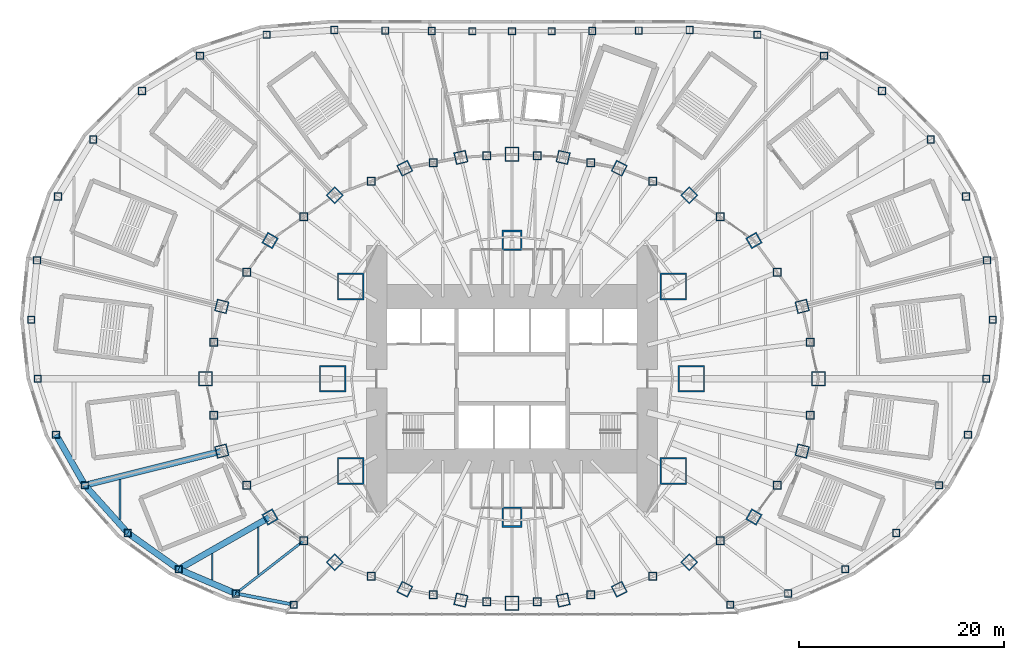
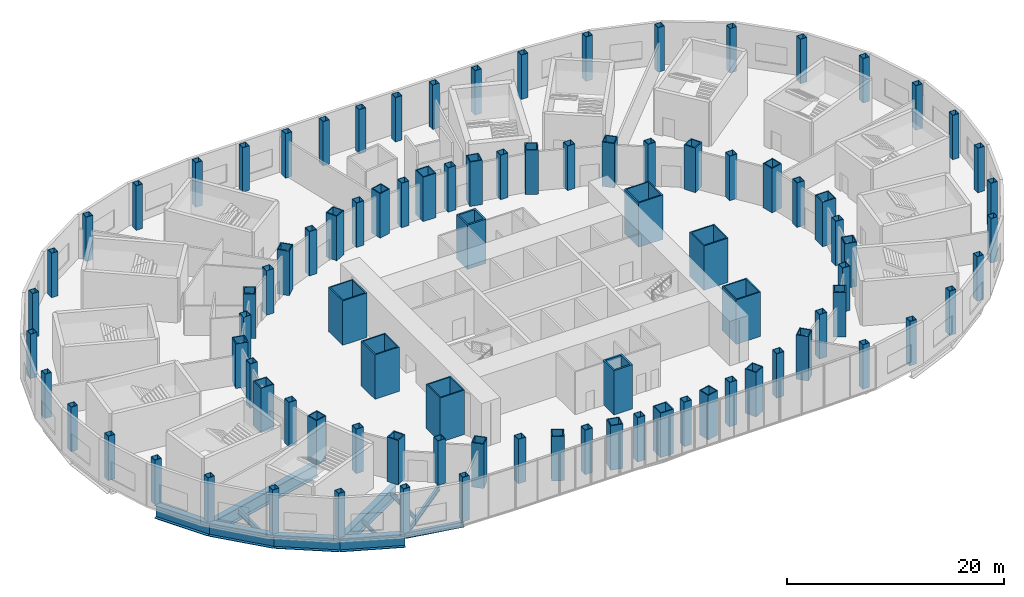
# One storey, part 1 of 73: 93 columns, 11 beams.
"""IFC4 building model written with IfcOpenShell, lengths in metres."""

from ifc_helpers import new_model, si_unit, direction, frame, origin, origin_2d, place, context, subcontext, project, spatial, rectangle, hollow_rectangle, i_section, extrude, material, material_profile, profile_set, type_object, element, save


model = new_model("IFC4")

# Units and contexts
model_context = context("Model", 3, precision=1e-05, world=origin(), true_north=direction((0.0, 1.0)))
body_context = subcontext(model_context, "Body", "Model", "MODEL_VIEW")
ifc_project = project(units=[si_unit("LENGTHUNIT", "METRE"), si_unit("AREAUNIT", "SQUARE_METRE"), si_unit("VOLUMEUNIT", "CUBIC_METRE"), si_unit("PLANEANGLEUNIT", "RADIAN"), si_unit("MASSUNIT", "GRAM", prefix="KILO")], contexts=[model_context])

# Site, building, storey
site_placement = place(None, origin())
site = spatial("IfcSite", under=ifc_project, at=site_placement, CompositionType="ELEMENT")
building_placement = place(site_placement, origin())
building = spatial("IfcBuilding", under=site, at=building_placement, Name="Lantaw Convention Tower", CompositionType="ELEMENT")
storey_placement = place(building_placement, frame((0.0, 0.0, 22.0)))
storey = spatial("IfcBuildingStorey", under=building, at=storey_placement, Name="L03", CompositionType="ELEMENT", Elevation=22.0)

# Columns
ifc_material_1 = material(Name="Steel EN 10025-3 S460N", Category="steel")
ifc_material_profile_1 = material_profile(ifc_material_1, hollow_rectangle(XDim=2.0, YDim=2.0, WallThickness=0.169921875, at=origin_2d()), Name="BOX2000X170")
ifc_material_2 = material(Name="Concrete C60/75", Category="concrete")
ifc_material_profile_2 = material_profile(ifc_material_2, rectangle(XDim=1.659912109375, YDim=1.659912109375, at=origin_2d()), Name="Concrete fill of BOX2000X170")
ifc_profile_set_1 = profile_set([ifc_material_profile_1, ifc_material_profile_2], Name="Steel EN 10025-3 S460N")
column_type_1 = type_object("IfcColumnType", Name="Column MC BOX2000X170", PredefinedType="COLUMN", material=ifc_profile_set_1)
for number, where, z_axis, x_axis, name in (
    (1, (0.0, 13.5, 0.0), (0.0, 0.0, 1.0), (1.0, 0.0, 0.0), "Mega column M3"),
    (2, (0.0, -13.5, 0.0), (0.0, 0.0, 1.0), (1.0, 0.0, 0.0), "Mega column M7"),
):
    element("IfcColumn", number, at=place(storey_placement, frame(where, z_axis=z_axis, x_axis=x_axis)), inside=storey, type_object=column_type_1, Name=name, PredefinedType="COLUMN", context=body_context, shape_type="SweptSolid", body=[
        extrude(hollow_rectangle(XDim=2.0, YDim=2.0, WallThickness=0.169921875, at=origin_2d()), origin(), (0.0, 0.0, 1.0), 5.0),
    ])
ifc_material_profile_3 = material_profile(ifc_material_1, hollow_rectangle(XDim=2.60009765625, YDim=2.60009765625, WallThickness=0.1298828125, at=origin_2d()), Name="BOX2600X130")
ifc_material_profile_4 = material_profile(ifc_material_2, rectangle(XDim=2.340087890625, YDim=2.340087890625, at=origin_2d()), Name="Concrete fill of BOX2600X130")
ifc_profile_set_2 = profile_set([ifc_material_profile_3, ifc_material_profile_4], Name="Steel EN 10025-3 S460N")
column_type_2 = type_object("IfcColumnType", Name="Column MC BOX2600X130", PredefinedType="COLUMN", material=ifc_profile_set_2)
for number, where, z_axis, x_axis, name in (
    (3, (17.5, 0.0, 0.0), (0.0, 0.0, 1.0), (1.0, 0.0, 0.0), "Mega column M1"),
    (4, (15.75, 9.0, 0.0), (0.0, 0.0, 1.0), (1.0, 0.0, 0.0), "Mega column M2"),
    (5, (-15.75, 9.0, 0.0), (0.0, 0.0, 1.0), (1.0, 0.0, 0.0), "Mega column M4"),
    (6, (-17.5, 0.0, 0.0), (0.0, 0.0, 1.0), (1.0, 0.0, 0.0), "Mega column M5"),
    (7, (-15.75, -9.0, 0.0), (0.0, 0.0, 1.0), (1.0, 0.0, 0.0), "Mega column M6"),
    (8, (15.75, -9.0, 0.0), (0.0, 0.0, 1.0), (1.0, 0.0, 0.0), "Mega column M8"),
):
    element("IfcColumn", number, at=place(storey_placement, frame(where, z_axis=z_axis, x_axis=x_axis)), inside=storey, type_object=column_type_2, Name=name, PredefinedType="COLUMN", context=body_context, shape_type="SweptSolid", body=[
        extrude(hollow_rectangle(XDim=2.60009765625, YDim=2.60009765625, WallThickness=0.1298828125, at=origin_2d()), origin(), (0.0, 0.0, 1.0), 5.0),
    ])
ifc_material_profile_5 = material_profile(ifc_material_1, hollow_rectangle(XDim=1.199951171875, YDim=1.199951171875, WallThickness=0.10009765625, at=origin_2d()), Name="BOX1200X100")
ifc_material_profile_6 = material_profile(ifc_material_2, rectangle(XDim=1.0, YDim=1.0, at=origin_2d()), Name="Concrete fill of BOX1200X100")
ifc_profile_set_3 = profile_set([ifc_material_profile_5, ifc_material_profile_6], Name="Steel EN 10025-3 S460N")
column_type_3 = type_object("IfcColumnType", Name="Column PC BOX1200X100", PredefinedType="COLUMN", material=ifc_profile_set_3)
for number, where, z_axis, x_axis, name in (
    (9, (28.31787109375, 7.060302734375, 0.0), (0.0, 0.0, 1.0), (0.970295726276, 0.2419218956, 0.0), "Perimeter column P2"),
    (10, (17.290771484375, 17.9052734375, 0.0), (0.0, 0.0, 1.0), (0.694658370459, 0.719339800339, 0.0), "Perimeter column P4"),
    (11, (10.462646484375, 20.533935546875, 0.0), (0.0, 0.0, 1.0), (0.45399049974, 0.891006524188, 0.0), "Perimeter column P5"),
    (12, (4.986328125, 21.59814453125, 0.0), (0.0, 0.0, 1.0), (0.224951054344, 0.974370064785, 0.0), "Perimeter column P6"),
    (13, (-4.986328125, 21.59814453125, 0.0), (0.0, 0.0, 1.0), (0.974370064785, 0.224951054344, 0.0), "Perimeter column P8"),
    (14, (-10.462646484375, 20.533935546875, 0.0), (0.0, 0.0, 1.0), (0.891006524188, 0.45399049974, 0.0), "Perimeter column P9"),
    (15, (-17.290771484375, 17.9052734375, 0.0), (0.0, 0.0, 1.0), (0.719339800339, 0.694658370459, 0.0), "Perimeter column P10"),
    (16, (-28.31787109375, 7.060302734375, 0.0), (0.0, 0.0, 1.0), (0.2419218956, 0.970295726276, 0.0), "Perimeter column P12"),
    (17, (-28.31787109375, -7.060302734375, 0.0), (0.0, 0.0, 1.0), (0.970295726276, 0.2419218956, 0.0), "Perimeter column P14"),
    (18, (-17.290771484375, -17.9052734375, 0.0), (0.0, 0.0, 1.0), (0.694658370459, 0.719339800339, 0.0), "Perimeter column P16"),
    (19, (-10.462646484375, -20.533935546875, 0.0), (0.0, 0.0, 1.0), (0.45399049974, 0.891006524188, 0.0), "Perimeter column P17"),
    (20, (-4.986328125, -21.59814453125, 0.0), (0.0, 0.0, 1.0), (0.224951054344, 0.974370064785, 0.0), "Perimeter column P18"),
    (21, (4.986328125, -21.59814453125, 0.0), (0.0, 0.0, 1.0), (0.974370064785, 0.224951054344, 0.0), "Perimeter column P20"),
    (22, (10.462646484375, -20.533935546875, 0.0), (0.0, 0.0, 1.0), (0.891006524188, 0.45399049974, 0.0), "Perimeter column P21"),
    (23, (17.290771484375, -17.9052734375, 0.0), (0.0, 0.0, 1.0), (0.719339800339, 0.694658370459, 0.0), "Perimeter column P22"),
    (24, (28.31787109375, -7.060302734375, 0.0), (0.0, 0.0, 1.0), (0.2419218956, 0.970295726276, 0.0), "Perimeter column P24"),
):
    element("IfcColumn", number, at=place(storey_placement, frame(where, z_axis=z_axis, x_axis=x_axis)), inside=storey, type_object=column_type_3, Name=name, PredefinedType="COLUMN", context=body_context, shape_type="SweptSolid", body=[
        extrude(hollow_rectangle(XDim=1.199951171875, YDim=1.199951171875, WallThickness=0.10009765625, at=origin_2d()), origin(), (0.0, 0.0, 1.0), 5.0),
    ])
ifc_material_profile_7 = material_profile(ifc_material_1, hollow_rectangle(XDim=1.199951171875, YDim=1.199951171875, WallThickness=0.1201171875, at=origin_2d()), Name="BOX1200X120")
ifc_material_profile_8 = material_profile(ifc_material_2, rectangle(XDim=0.9599609375, YDim=0.9599609375, at=origin_2d()), Name="Concrete fill of BOX1200X120")
ifc_profile_set_4 = profile_set([ifc_material_profile_7, ifc_material_profile_8], Name="Steel EN 10025-3 S460N")
column_type_4 = type_object("IfcColumnType", Name="Column PC BOX1200X120", PredefinedType="COLUMN", material=ifc_profile_set_4)
for number, where, z_axis, x_axis, name in (
    (25, (23.60498046875, 13.488525390625, 0.0), (0.0, 0.0, 1.0), (0.86824298017, 0.496139221777, 0.0), "Perimeter column P3"),
    (26, (-23.60498046875, 13.488525390625, 0.0), (0.0, 0.0, 1.0), (0.496139221777, 0.86824298017, 0.0), "Perimeter column P11"),
    (27, (-23.60498046875, -13.488525390625, 0.0), (0.0, 0.0, 1.0), (0.86824298017, 0.496139221777, 0.0), "Perimeter column P15"),
    (28, (23.60498046875, -13.488525390625, 0.0), (0.0, 0.0, 1.0), (0.496139221777, 0.86824298017, 0.0), "Perimeter column P23"),
):
    element("IfcColumn", number, at=place(storey_placement, frame(where, z_axis=z_axis, x_axis=x_axis)), inside=storey, type_object=column_type_4, Name=name, PredefinedType="COLUMN", context=body_context, shape_type="SweptSolid", body=[
        extrude(hollow_rectangle(XDim=1.199951171875, YDim=1.199951171875, WallThickness=0.1201171875, at=origin_2d()), origin(), (0.0, 0.0, 1.0), 5.0),
    ])
ifc_material_profile_9 = material_profile(ifc_material_1, hollow_rectangle(XDim=1.39990234375, YDim=1.39990234375, WallThickness=0.10009765625, at=origin_2d()), Name="BOX1400X100")
ifc_material_profile_10 = material_profile(ifc_material_2, rectangle(XDim=1.199951171875, YDim=1.199951171875, at=origin_2d()), Name="Concrete fill of BOX1400X100")
ifc_profile_set_5 = profile_set([ifc_material_profile_9, ifc_material_profile_10], Name="Steel EN 10025-3 S460N")
column_type_5 = type_object("IfcColumnType", Name="Column PC BOX1400X100", PredefinedType="COLUMN", material=ifc_profile_set_5)
for number, where, z_axis, x_axis, name in (
    (29, (29.89990234375, 0.0, 0.0), (0.0, 0.0, 1.0), (1.0, 0.0, 0.0), "Perimeter column P1"),
    (30, (0.0, 21.89990234375, 0.0), (0.0, 0.0, 1.0), (1.0, 0.0, 0.0), "Perimeter column P7"),
    (31, (-29.89990234375, 0.0, 0.0), (0.0, 0.0, 1.0), (1.0, 0.0, 0.0), "Perimeter column P13"),
    (32, (0.0, -21.89990234375, 0.0), (0.0, 0.0, 1.0), (1.0, 0.0, 0.0), "Perimeter column P19"),
):
    element("IfcColumn", number, at=place(storey_placement, frame(where, z_axis=z_axis, x_axis=x_axis)), inside=storey, type_object=column_type_5, Name=name, PredefinedType="COLUMN", context=body_context, shape_type="SweptSolid", body=[
        extrude(hollow_rectangle(XDim=1.39990234375, YDim=1.39990234375, WallThickness=0.10009765625, at=origin_2d()), origin(), (0.0, 0.0, 1.0), 5.0),
    ])
ifc_material_3 = material(Name="Steel ASTM A572 Grade 50", Category="steel")
ifc_material_profile_11 = material_profile(ifc_material_3, hollow_rectangle(XDim=0.800048828125, YDim=0.800048828125, WallThickness=0.050048828125, at=origin_2d()), Name="BOX800X50")
ifc_profile_set_6 = profile_set([ifc_material_profile_11], Name="Steel ASTM A572 Grade 50")
column_type_6 = type_object("IfcColumnType", Name="Column QC BOX800X50", PredefinedType="COLUMN", material=ifc_profile_set_6)
for number, where, z_axis, x_axis, name in (
    (33, (29.099365234375, 3.572998046875, 0.0), (0.0, 0.0, 1.0), (1.0, 0.0, 0.0), "Podium ring column Q1"),
    (34, (25.8779296875, 10.388427734375, 0.0), (0.0, 0.0, 1.0), (1.0, 0.0, 0.0), "Podium ring column Q2"),
    (35, (20.30859375, 15.794189453125, 0.0), (0.0, 0.0, 1.0), (1.0, 0.0, 0.0), "Podium ring column Q3"),
    (36, (13.745361328125, 19.270263671875, 0.0), (0.0, 0.0, 1.0), (1.0, 0.0, 0.0), "Podium ring column Q4"),
    (37, (7.671142578125, 21.076416015625, 0.0), (0.0, 0.0, 1.0), (1.0, 0.0, 0.0), "Podium ring column Q5"),
    (38, (2.47802734375, 21.75, 0.0), (0.0, 0.0, 1.0), (1.0, 0.0, 0.0), "Podium ring column Q6"),
    (39, (-2.47802734375, 21.75, 0.0), (0.0, 0.0, 1.0), (1.0, 0.0, 0.0), "Podium ring column Q7"),
    (40, (-7.671142578125, 21.076416015625, 0.0), (0.0, 0.0, 1.0), (1.0, 0.0, 0.0), "Podium ring column Q8"),
    (41, (-13.745361328125, 19.270263671875, 0.0), (0.0, 0.0, 1.0), (1.0, 0.0, 0.0), "Podium ring column Q9"),
    (42, (-20.30859375, 15.794189453125, 0.0), (0.0, 0.0, 1.0), (1.0, 0.0, 0.0), "Podium ring column Q10"),
    (43, (-25.8779296875, 10.388427734375, 0.0), (0.0, 0.0, 1.0), (1.0, 0.0, 0.0), "Podium ring column Q11"),
    (44, (-29.099365234375, 3.572998046875, 0.0), (0.0, 0.0, 1.0), (1.0, 0.0, 0.0), "Podium ring column Q12"),
    (45, (-29.099365234375, -3.572998046875, 0.0), (0.0, 0.0, 1.0), (1.0, 0.0, 0.0), "Podium ring column Q13"),
    (46, (-25.8779296875, -10.388427734375, 0.0), (0.0, 0.0, 1.0), (1.0, 0.0, 0.0), "Podium ring column Q14"),
    (47, (-20.30859375, -15.794189453125, 0.0), (0.0, 0.0, 1.0), (1.0, 0.0, 0.0), "Podium ring column Q15"),
    (48, (-13.745361328125, -19.270263671875, 0.0), (0.0, 0.0, 1.0), (1.0, 0.0, 0.0), "Podium ring column Q16"),
    (49, (-7.671142578125, -21.076416015625, 0.0), (0.0, 0.0, 1.0), (1.0, 0.0, 0.0), "Podium ring column Q17"),
    (50, (-2.47802734375, -21.75, 0.0), (0.0, 0.0, 1.0), (1.0, 0.0, 0.0), "Podium ring column Q18"),
    (51, (2.47802734375, -21.75, 0.0), (0.0, 0.0, 1.0), (1.0, 0.0, 0.0), "Podium ring column Q19"),
    (52, (7.671142578125, -21.076416015625, 0.0), (0.0, 0.0, 1.0), (1.0, 0.0, 0.0), "Podium ring column Q20"),
    (53, (13.745361328125, -19.270263671875, 0.0), (0.0, 0.0, 1.0), (1.0, 0.0, 0.0), "Podium ring column Q21"),
    (54, (20.308837890625, -15.794189453125, 0.0), (0.0, 0.0, 1.0), (1.0, 0.0, 0.0), "Podium ring column Q22"),
    (55, (25.8779296875, -10.388427734375, 0.0), (0.0, 0.0, 1.0), (1.0, 0.0, 0.0), "Podium ring column Q23"),
    (56, (29.099365234375, -3.572998046875, 0.0), (0.0, 0.0, 1.0), (1.0, 0.0, 0.0), "Podium ring column Q24"),
):
    element("IfcColumn", number, at=place(storey_placement, frame(where, z_axis=z_axis, x_axis=x_axis)), inside=storey, type_object=column_type_6, Name=name, PredefinedType="COLUMN", context=body_context, shape_type="SweptSolid", body=[
        extrude(hollow_rectangle(XDim=0.800048828125, YDim=0.800048828125, WallThickness=0.050048828125, at=origin_2d()), origin(), (0.0, 0.0, 1.0), 5.0),
    ])
ifc_material_profile_12 = material_profile(ifc_material_3, hollow_rectangle(XDim=0.699951171875, YDim=0.699951171875, WallThickness=0.0400390625, at=origin_2d()), Name="BOX700X40")
ifc_profile_set_7 = profile_set([ifc_material_profile_12], Name="Steel ASTM A572 Grade 50")
column_type_7 = type_object("IfcColumnType", Name="Column RC BOX700X40", PredefinedType="COLUMN", material=ifc_profile_set_7)
for number, where, z_axis, x_axis, name in (
    (57, (46.907958984375, 5.759521484375, 0.0), (0.0, 0.0, 1.0), (1.0, 0.0, 0.0), "Podium column B00"),
    (58, (44.29248046875, 17.78076171875, 0.0), (0.0, 0.0, 1.0), (1.0, 0.0, 0.0), "Podium column B01"),
    (59, (36.107666015625, 28.081298828125, 0.0), (0.0, 0.0, 1.0), (1.0, 0.0, 0.0), "Podium column B02"),
    (60, (23.940185546875, 33.562744140625, 0.0), (0.0, 0.0, 1.0), (1.0, 0.0, 0.0), "Podium column B03"),
    (61, (12.36279296875, 33.96630859375, 0.0), (0.0, 0.0, 1.0), (1.0, 0.0, 0.0), "Podium column B04"),
    (62, (3.86328125, 33.906982421875, 0.0), (0.0, 0.0, 1.0), (1.0, 0.0, 0.0), "Podium column B05"),
    (63, (-3.86328125, 33.906982421875, 0.0), (0.0, 0.0, 1.0), (1.0, 0.0, 0.0), "Podium column B06"),
    (64, (-12.36279296875, 33.96630859375, 0.0), (0.0, 0.0, 1.0), (1.0, 0.0, 0.0), "Podium column B07"),
    (65, (-23.940185546875, 33.562744140625, 0.0), (0.0, 0.0, 1.0), (1.0, 0.0, 0.0), "Podium column B08"),
    (66, (-36.107666015625, 28.081298828125, 0.0), (0.0, 0.0, 1.0), (1.0, 0.0, 0.0), "Podium column B09"),
    (67, (-44.29248046875, 17.78076171875, 0.0), (0.0, 0.0, 1.0), (1.0, 0.0, 0.0), "Podium column B10"),
    (68, (-46.907958984375, 5.759521484375, 0.0), (0.0, 0.0, 1.0), (1.0, 0.0, 0.0), "Podium column B11"),
    (69, (-44.488525390625, -5.46240234375, 0.0), (0.0, 0.0, 1.0), (1.0, 0.0, 0.0), "Podium column B12"),
    (70, (-37.486572265625, -15.048583984375, 0.0), (0.0, 0.0, 1.0), (1.0, 0.0, 0.0), "Podium column B13"),
    (71, (-26.94287109375, -20.95361328125, 0.0), (0.0, 0.0, 1.0), (1.0, 0.0, 0.0), "Podium column B14"),
    (72, (26.94287109375, -20.95361328125, 0.0), (0.0, 0.0, 1.0), (1.0, 0.0, 0.0), "Podium column B21"),
    (73, (37.486572265625, -15.048583984375, 0.0), (0.0, 0.0, 1.0), (1.0, 0.0, 0.0), "Podium column B22"),
    (74, (44.488525390625, -5.46240234375, 0.0), (0.0, 0.0, 1.0), (1.0, 0.0, 0.0), "Podium column B23"),
    (75, (46.2724609375, 0.0, 0.0), (0.0, 0.0, 1.0), (1.0, 0.0, 0.0), "Podium column R00"),
    (76, (46.342529296875, 11.554443359375, 0.0), (0.0, 0.0, 1.0), (1.0, 0.0, 0.0), "Podium column R01"),
    (77, (40.864013671875, 23.350830078125, 0.0), (0.0, 0.0, 1.0), (1.0, 0.0, 0.0), "Podium column R02"),
    (78, (30.43603515625, 31.517578125, 0.0), (0.0, 0.0, 1.0), (1.0, 0.0, 0.0), "Podium column R03"),
    (79, (17.333984375, 34.019775390625, 0.0), (0.0, 0.0, 1.0), (1.0, 0.0, 0.0), "Podium column R04"),
    (80, (7.8330078125, 33.92822265625, 0.0), (0.0, 0.0, 1.0), (1.0, 0.0, 0.0), "Podium column R05"),
    (81, (0.0, 33.89990234375, 0.0), (0.0, 0.0, 1.0), (1.0, 0.0, 0.0), "Podium column R06"),
    (82, (-7.8330078125, 33.92822265625, 0.0), (0.0, 0.0, 1.0), (1.0, 0.0, 0.0), "Podium column R07"),
    (83, (-17.333984375, 34.019775390625, 0.0), (0.0, 0.0, 1.0), (1.0, 0.0, 0.0), "Podium column R08"),
    (84, (-30.43603515625, 31.517578125, 0.0), (0.0, 0.0, 1.0), (1.0, 0.0, 0.0), "Podium column R09"),
    (85, (-40.864013671875, 23.350830078125, 0.0), (0.0, 0.0, 1.0), (1.0, 0.0, 0.0), "Podium column R10"),
    (86, (-46.342529296875, 11.554443359375, 0.0), (0.0, 0.0, 1.0), (1.0, 0.0, 0.0), "Podium column R11"),
    (87, (-46.2724609375, 0.0, 0.0), (0.0, 0.0, 1.0), (1.0, 0.0, 0.0), "Podium column R12"),
    (88, (-41.67236328125, -10.39013671875, 0.0), (0.0, 0.0, 1.0), (1.0, 0.0, 0.0), "Podium column R13"),
    (89, (-32.5205078125, -18.5830078125, 0.0), (0.0, 0.0, 1.0), (1.0, 0.0, 0.0), "Podium column R14"),
    (90, (-21.290771484375, -22.04736328125, 0.0), (0.0, 0.0, 1.0), (1.0, 0.0, 0.0), "Podium column R15"),
    (91, (21.290771484375, -22.04736328125, 0.0), (0.0, 0.0, 1.0), (1.0, 0.0, 0.0), "Podium column R21"),
    (92, (32.5205078125, -18.5830078125, 0.0), (0.0, 0.0, 1.0), (1.0, 0.0, 0.0), "Podium column R22"),
    (93, (41.67236328125, -10.39013671875, 0.0), (0.0, 0.0, 1.0), (1.0, 0.0, 0.0), "Podium column R23"),
):
    element("IfcColumn", number, at=place(storey_placement, frame(where, z_axis=z_axis, x_axis=x_axis)), inside=storey, type_object=column_type_7, Name=name, PredefinedType="COLUMN", context=body_context, shape_type="SweptSolid", body=[
        extrude(hollow_rectangle(XDim=0.699951171875, YDim=0.699951171875, WallThickness=0.0400390625, at=origin_2d()), origin(), (0.0, 0.0, 1.0), 5.0),
    ])

# Beams
ifc_material_profile_13 = material_profile(ifc_material_3, i_section(OverallWidth=0.60009765625, OverallDepth=1.5, WebThickness=0.02490234375, FlangeThickness=0.06005859375, at=origin_2d()), Name="PG1500X600X25X60")
ifc_profile_set_8 = profile_set([ifc_material_profile_13], Name="Steel ASTM A572 Grade 50")
beam_type_1 = type_object("IfcBeamType", Name="Beam E PG1500X600X25X60", PredefinedType="SPANDREL", material=ifc_profile_set_8)
beam_1_placement = place(storey_placement, frame((-44.488525390625, -5.46240234375, -0.949951171875), z_axis=(0.496180629465, -0.868219317306, 0.0), x_axis=(0.868219317306, 0.496180629465, 0.0)))
element("IfcBeam", 94, at=beam_1_placement, inside=storey, type_object=beam_type_1, Name="Podium edge beam B12", PredefinedType="SPANDREL", context=body_context, shape_type="SweptSolid", body=[
    extrude(i_section(OverallWidth=0.60009765625, OverallDepth=1.5, WebThickness=0.02490234375, FlangeThickness=0.06005859375, at=origin_2d()), origin(), (0.0, 0.0, 1.0), 5.67578125),
])
beam_2_placement = place(storey_placement, frame((-41.67236328125, -10.39013671875, -0.949951171875), z_axis=(0.668363614772, -0.74383471178, 0.0), x_axis=(0.74383471178, 0.668363614772, 0.0)))
element("IfcBeam", 95, at=beam_2_placement, inside=storey, type_object=beam_type_1, Name="Podium edge beam R13", PredefinedType="SPANDREL", context=body_context, shape_type="SweptSolid", body=[
    extrude(i_section(OverallWidth=0.60009765625, OverallDepth=1.5, WebThickness=0.02490234375, FlangeThickness=0.06005859375, at=origin_2d()), origin(), (0.0, 0.0, 1.0), 6.2626953125),
])
beam_3_placement = place(storey_placement, frame((-37.486572265625, -15.048583984375, -0.949951171875), z_axis=(0.814722795246, -0.579850641895, 0.0), x_axis=(0.579850641895, 0.814722795246, 0.0)))
element("IfcBeam", 96, at=beam_3_placement, inside=storey, type_object=beam_type_1, Name="Podium edge beam B13", PredefinedType="SPANDREL", context=body_context, shape_type="SweptSolid", body=[
    extrude(i_section(OverallWidth=0.60009765625, OverallDepth=1.5, WebThickness=0.02490234375, FlangeThickness=0.06005859375, at=origin_2d()), origin(), (0.0, 0.0, 1.0), 6.095458984375),
])
beam_4_placement = place(storey_placement, frame((-32.5205078125, -18.5830078125, -0.949951171875), z_axis=(0.920324392734, -0.391155994636, 0.0), x_axis=(0.391155994636, 0.920324392734, 0.0)))
element("IfcBeam", 97, at=beam_4_placement, inside=storey, type_object=beam_type_1, Name="Podium edge beam R14", PredefinedType="SPANDREL", context=body_context, shape_type="SweptSolid", body=[
    extrude(i_section(OverallWidth=0.60009765625, OverallDepth=1.5, WebThickness=0.02490234375, FlangeThickness=0.06005859375, at=origin_2d()), origin(), (0.0, 0.0, 1.0), 6.060546875),
])
ifc_material_4 = material(Name="Steel ASTM A992", Category="steel")
ifc_material_profile_14 = material_profile(ifc_material_4, i_section(OverallWidth=0.3251953125, OverallDepth=0.612060546875, WebThickness=0.0126953125, FlangeThickness=0.01904296875, FilletRadius=0.0126953125, at=origin_2d()), Name="W24X104")
ifc_profile_set_9 = profile_set([ifc_material_profile_14], Name="Steel ASTM A992")
beam_type_2 = type_object("IfcBeamType", Name="Beam E W24X104", PredefinedType="SPANDREL", material=ifc_profile_set_9)
beam_5_placement = place(storey_placement, frame((-26.94287109375, -20.95361328125, -0.506103515625), z_axis=(0.981786485539, -0.18998762279, 0.0), x_axis=(0.18998762279, 0.981786485539, 0.0)))
element("IfcBeam", 98, at=beam_5_placement, inside=storey, type_object=beam_type_2, Name="Podium edge beam B14", PredefinedType="SPANDREL", context=body_context, shape_type="SweptSolid", body=[
    extrude(i_section(OverallWidth=0.3251953125, OverallDepth=0.612060546875, WebThickness=0.0126953125, FlangeThickness=0.01904296875, FilletRadius=0.0126953125, at=origin_2d()), origin(), (0.0, 0.0, 1.0), 5.7568359375),
])
ifc_material_profile_15 = material_profile(ifc_material_4, i_section(OverallWidth=0.15234375, OverallDepth=0.449462890625, WebThickness=0.007568359375, FlangeThickness=0.0107421875, FilletRadius=0.01025390625, at=origin_2d()), Name="W18X35")
ifc_profile_set_10 = profile_set([ifc_material_profile_15], Name="Steel ASTM A992")
beam_type_3 = type_object("IfcBeamType", Name="Beam J W18X35", PredefinedType="JOIST", material=ifc_profile_set_10)
beam_6_placement = place(storey_placement, frame((-29.25, -19.647216796875, -0.4248046875), z_axis=(0.0, 1.0, 0.0), x_axis=(-1.0, 0.0, 0.0)))
element("IfcBeam", 99, at=beam_6_placement, inside=storey, type_object=beam_type_3, Name="Floor joist", PredefinedType="JOIST", context=body_context, shape_type="SweptSolid", body=[
    extrude(i_section(OverallWidth=0.15234375, OverallDepth=0.449462890625, WebThickness=0.007568359375, FlangeThickness=0.0107421875, FilletRadius=0.01025390625, at=origin_2d()), origin(), (0.0, 0.0, 1.0), 2.58740234375),
])
ifc_material_profile_16 = material_profile(ifc_material_4, i_section(OverallWidth=0.1650390625, OverallDepth=0.52587890625, WebThickness=0.0087890625, FlangeThickness=0.011474609375, FilletRadius=0.0126953125, at=origin_2d()), Name="W21X44")
ifc_profile_set_11 = profile_set([ifc_material_profile_16], Name="Steel ASTM A992")
beam_type_4 = type_object("IfcBeamType", Name="Beam J W21X44", PredefinedType="JOIST", material=ifc_profile_set_11)
beam_7_placement = place(storey_placement, frame((-24.75, -19.103271484375, -0.462890625), z_axis=(0.0, 1.0, 0.0), x_axis=(-1.0, 0.0, 0.0)))
element("IfcBeam", 100, at=beam_7_placement, inside=storey, type_object=beam_type_4, Name="Floor joist", PredefinedType="JOIST", context=body_context, shape_type="SweptSolid", body=[
    extrude(i_section(OverallWidth=0.1650390625, OverallDepth=0.52587890625, WebThickness=0.0087890625, FlangeThickness=0.011474609375, FilletRadius=0.0126953125, at=origin_2d()), origin(), (0.0, 0.0, 1.0), 4.614990234375),
])
ifc_material_profile_17 = material_profile(ifc_material_4, i_section(OverallWidth=0.22900390625, OverallDepth=0.612060546875, WebThickness=0.011962890625, FlangeThickness=0.01953125, FilletRadius=0.0126953125, at=origin_2d()), Name="W24X84")
ifc_profile_set_12 = profile_set([ifc_material_profile_17], Name="Steel ASTM A992")
beam_type_5 = type_object("IfcBeamType", Name="Beam J W24X84", PredefinedType="JOIST", material=ifc_profile_set_12)
beam_8_placement = place(storey_placement, frame((-38.25, -13.75, -0.506103515625), z_axis=(0.0, 1.0, 0.0), x_axis=(-1.0, 0.0, 0.0)))
element("IfcBeam", 101, at=beam_8_placement, inside=storey, type_object=beam_type_5, Name="Floor joist", PredefinedType="JOIST", context=body_context, shape_type="SweptSolid", body=[
    extrude(i_section(OverallWidth=0.22900390625, OverallDepth=0.612060546875, WebThickness=0.011962890625, FlangeThickness=0.01953125, FilletRadius=0.0126953125, at=origin_2d()), origin(), (0.0, 0.0, 1.0), 3.904052734375),
])
ifc_material_profile_18 = material_profile(ifc_material_3, i_section(OverallWidth=0.60009765625, OverallDepth=1.5, WebThickness=0.02490234375, FlangeThickness=0.06005859375, at=origin_2d()), Name="PG1500X600X25X60")
ifc_profile_set_13 = profile_set([ifc_material_profile_18], Name="Steel ASTM A572 Grade 50")
beam_type_6 = type_object("IfcBeamType", Name="Beam PG PG1500X600X25X60", PredefinedType="BEAM", material=ifc_profile_set_13)
beam_9_placement = place(storey_placement, frame((-28.31787109375, -7.060302734375, -0.949951171875), z_axis=(-0.97029256898, -0.24193455847, 0.0), x_axis=(0.24193455847, -0.97029256898, 0.0)))
element("IfcBeam", 102, at=beam_9_placement, inside=storey, type_object=beam_type_6, Name="Podium girder PR14", PredefinedType="BEAM", context=body_context, shape_type="SweptSolid", body=[
    extrude(i_section(OverallWidth=0.60009765625, OverallDepth=1.5, WebThickness=0.02490234375, FlangeThickness=0.06005859375, at=origin_2d()), origin(), (0.0, 0.0, 1.0), 13.763427734375),
])
beam_10_placement = place(storey_placement, frame((-23.60498046875, -13.488525390625, -0.949951171875), z_axis=(-0.868247531483, -0.4961312569, 0.0), x_axis=(0.4961312569, -0.868247531483, 0.0)))
element("IfcBeam", 103, at=beam_10_placement, inside=storey, type_object=beam_type_6, Name="Podium girder PR15", PredefinedType="BEAM", context=body_context, shape_type="SweptSolid", body=[
    extrude(i_section(OverallWidth=0.60009765625, OverallDepth=1.5, WebThickness=0.02490234375, FlangeThickness=0.06005859375, at=origin_2d()), origin(), (0.0, 0.0, 1.0), 10.268310546875),
])
ifc_material_profile_19 = material_profile(ifc_material_4, i_section(OverallWidth=0.22900390625, OverallDepth=0.612060546875, WebThickness=0.011962890625, FlangeThickness=0.01953125, FilletRadius=0.0126953125, at=origin_2d()), Name="W24X84")
ifc_profile_set_14 = profile_set([ifc_material_profile_19], Name="Steel ASTM A992")
beam_type_7 = type_object("IfcBeamType", Name="Beam PG W24X84", PredefinedType="BEAM", material=ifc_profile_set_14)
beam_11_placement = place(storey_placement, frame((-20.30859375, -15.794189453125, -0.506103515625), z_axis=(-0.789385064276, -0.613898379456, 0.0), x_axis=(0.613898379456, -0.789385064276, 0.0)))
element("IfcBeam", 104, at=beam_11_placement, inside=storey, type_object=beam_type_7, Name="Podium girder PB15", PredefinedType="BEAM", context=body_context, shape_type="SweptSolid", body=[
    extrude(i_section(OverallWidth=0.22900390625, OverallDepth=0.612060546875, WebThickness=0.011962890625, FlangeThickness=0.01953125, FilletRadius=0.0126953125, at=origin_2d()), origin(), (0.0, 0.0, 1.0), 8.404296875),
])

save(model, "model.ifc")
